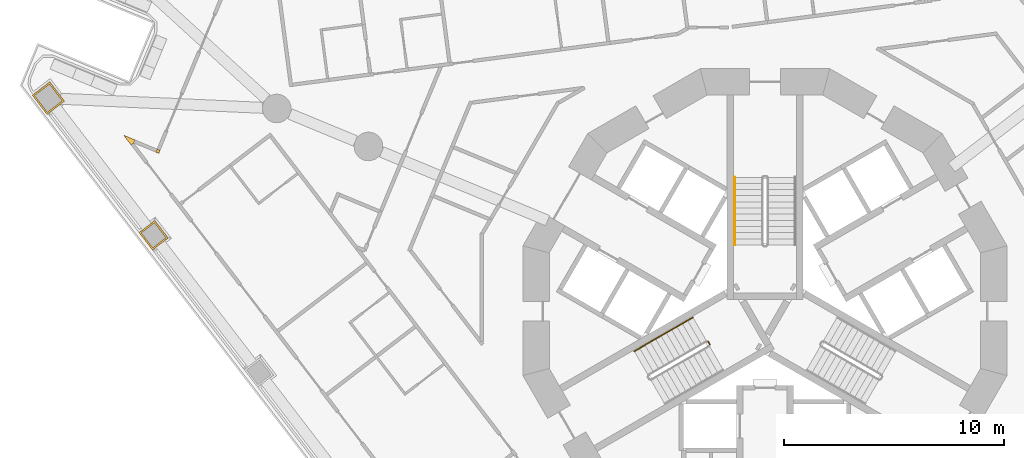
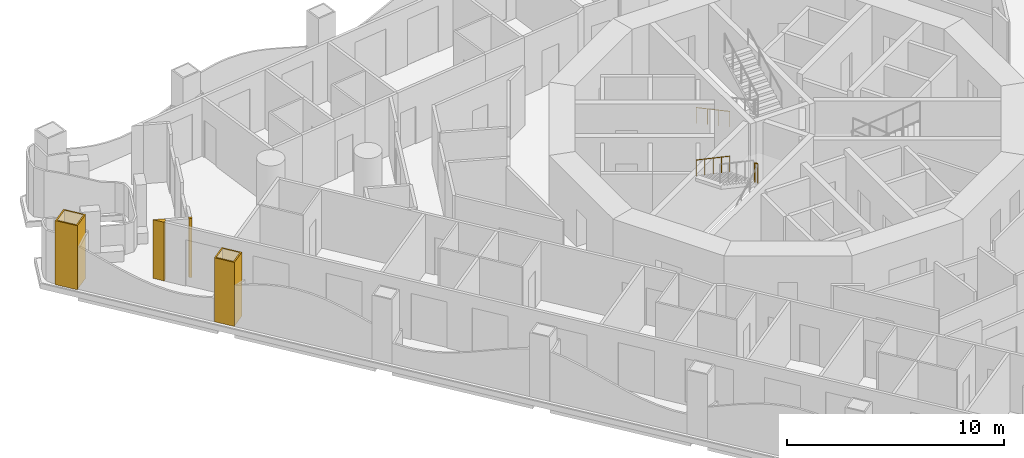
# One storey, part 15 of 19: 4 coverings, 4 railings.
"""IFC4 building model written with IfcOpenShell, lengths in metres."""

from ifc_helpers import new_model, si_unit, direction, frame, origin, origin_2d, place, context, subcontext, project, spatial, polyline, circle, outline, extrude, material, layer, layer_set, type_object, element, save


model = new_model("IFC4")

# Units and contexts
model_context = context("Model", 3, precision=1e-05, world=origin(), true_north=direction((0.0, 1.0)))
body_context = subcontext(model_context, "Body", "Model", "MODEL_VIEW")
ifc_project = project(units=[si_unit("LENGTHUNIT", "METRE"), si_unit("AREAUNIT", "SQUARE_METRE"), si_unit("VOLUMEUNIT", "CUBIC_METRE"), si_unit("PLANEANGLEUNIT", "RADIAN"), si_unit("MASSUNIT", "GRAM", prefix="KILO")], contexts=[model_context])

# Site, building, storey
site_placement = place(None, origin())
site = spatial("IfcSite", under=ifc_project, at=site_placement, CompositionType="ELEMENT")
building_placement = place(site_placement, origin())
building = spatial("IfcBuilding", under=site, at=building_placement, Name="Trine Commons Tower", CompositionType="ELEMENT")
storey_placement = place(building_placement, frame((0.0, 0.0, 72.0)))
storey = spatial("IfcBuildingStorey", under=building, at=storey_placement, Name="L17", CompositionType="ELEMENT", Elevation=72.0)

# Coverings
ifc_material_1 = material(Name="Aluminium-framed insulated wall panel", Category="aluminium")
ifc_layer_1 = layer(ifc_material_1, 0.14990234375)
ifc_layer_set_1 = layer_set([ifc_layer_1], Name="Aluminium-framed insulated wall panel")
covering_type_1 = type_object("IfcCoveringType", Name="Glazing corner post, aluminium", PredefinedType="CLADDING", material=ifc_layer_set_1)
covering_1_placement = place(storey_placement, origin())
element("IfcCovering", 1, at=covering_1_placement, inside=storey, type_object=covering_type_1, Name="Glazing corner post 2-01", PredefinedType="CLADDING", context=body_context, shape_type="SweptSolid", body=[
    extrude(outline(polyline([(51.165771484375, 70.038330078125), (51.28466796875, 70.129638671875), (51.342041015625, 70.268310546875), (50.824951171875, 70.482421875), (51.165771484375, 70.038330078125)])), origin(), (0.0, 0.0, 1.0), 3.300048828125),
])
covering_2_placement = place(storey_placement, origin())
element("IfcCovering", 2, at=covering_2_placement, inside=storey, type_object=covering_type_1, Name="Glazing corner post 2-02", PredefinedType="CLADDING", context=body_context, shape_type="SweptSolid", body=[
    extrude(outline(polyline([(52.28759765625, 69.714111328125), (52.42626953125, 69.65673828125), (52.483642578125, 69.79541015625), (52.34521484375, 69.852783203125), (52.28759765625, 69.714111328125)])), origin(), (0.0, 0.0, 1.0), 3.300048828125),
])
ifc_material_2 = material(Name="Limestone, honed", Category="masonry")
ifc_layer_2 = layer(ifc_material_2, 0.074951171875)
ifc_layer_set_2 = layer_set([ifc_layer_2], Name="Limestone, honed")
covering_type_2 = type_object("IfcCoveringType", Name="Limestone column cladding 75", PredefinedType="CLADDING", material=ifc_layer_set_2)
covering_3_placement = place(storey_placement, origin())
element("IfcCovering", 3, at=covering_3_placement, inside=storey, type_object=covering_type_2, Name="Limestone pier cladding 2-07", PredefinedType="CLADDING", context=body_context, shape_type="SweptSolid", body=[
    extrude(outline(polyline([(52.240966796875, 66.599853515625), (51.527099609375, 66.052001953125), (52.1357421875, 65.2587890625), (52.849853515625, 65.806640625), (52.240966796875, 66.599853515625)]), holes=[polyline([(52.227294921875, 66.494873046875), (51.632080078125, 66.0380859375), (52.149658203125, 65.36376953125), (52.74462890625, 65.8203125), (52.227294921875, 66.494873046875)])]), origin(), (0.0, 0.0, 1.0), 3.60009765625),
])
covering_4_placement = place(storey_placement, origin())
element("IfcCovering", 4, at=covering_4_placement, inside=storey, type_object=covering_type_2, Name="Limestone pier cladding 2-08", PredefinedType="CLADDING", context=body_context, shape_type="SweptSolid", body=[
    extrude(outline(polyline([(47.465087890625, 72.90625), (46.671630859375, 72.297607421875), (47.34130859375, 71.4248046875), (48.134765625, 72.033447265625), (47.465087890625, 72.90625)]), holes=[polyline([(47.451171875, 72.801025390625), (46.77685546875, 72.28369140625), (47.355224609375, 71.52978515625), (48.029541015625, 72.04736328125), (47.451171875, 72.801025390625)])]), origin(), (0.0, 0.0, 1.0), 3.60009765625),
])

# Railings
ifc_material_3 = material(Name="Stainless steel balustrade", Category="steel")
railing_type_1 = type_object("IfcRailingType", Name="Stair guard, steel balustrade 1100", PredefinedType="GUARDRAIL", material=ifc_material_3)
railing_1_placement = place(storey_placement, frame((77.490966796875, 60.96484375, 1.800048828125)))
element("IfcRailing", 5, at=railing_1_placement, inside=storey, type_object=railing_type_1, Name="L17 ST2A stair guard 2", PredefinedType="GUARDRAIL", context=body_context, shape_type="SweptSolid", body=[
    extrude(circle(Radius=0.02392578125, at=origin_2d()), frame((0.0, 0.0, 1.076171875), z_axis=(-0.501036270542, 0.865426285481, 0.0), x_axis=(-0.865426285481, -0.501036270542, 0.0)), (0.0, 0.0, 1.0), 0.150146484375),
    extrude(circle(Radius=0.02099609375, at=origin_2d()), origin(), (0.0, 0.0, 1.0), 1.052001953125),
    extrude(circle(Radius=0.02099609375, at=origin_2d()), frame((-0.0751953125, 0.1298828125, 0.0)), (0.0, 0.0, 1.0), 1.052001953125),
])
ifc_material_4 = material(Name="Stainless steel handrail", Category="steel")
railing_type_2 = type_object("IfcRailingType", Name="Stair handrail, steel 900", PredefinedType="HANDRAIL", material=ifc_material_4)
railing_2_placement = place(storey_placement, frame((78.625, 68.570556640625, 0.14990234375)))
element("IfcRailing", 6, at=railing_2_placement, inside=storey, type_object=railing_type_2, Name="L17 ST1A stair handrail 1", PredefinedType="HANDRAIL", context=body_context, shape_type="SweptSolid", body=[
    extrude(circle(Radius=0.02099609375, at=origin_2d()), frame((0.0, 0.0, 0.87890625), z_axis=(0.0, -0.881467505477, 0.472244678941), x_axis=(1.0, 0.0, 0.0)), (0.0, 0.0, 1.0), 3.494140625),
    extrude(circle(Radius=0.01513671875, at=origin_2d()), origin(), (0.0, 0.0, 1.0), 0.85791015625),
    extrude(circle(Radius=0.01513671875, at=origin_2d()), frame((0.0, -1.026611328125, 0.550048828125)), (0.0, 0.0, 1.0), 0.85791015625),
    extrude(circle(Radius=0.01513671875, at=origin_2d()), frame((0.0, -2.053466796875, 1.10009765625)), (0.0, 0.0, 1.0), 0.85791015625),
    extrude(circle(Radius=0.01513671875, at=origin_2d()), frame((0.0, -3.080078125, 1.650146484375)), (0.0, 0.0, 1.0), 0.85791015625),
])
railing_3_placement = place(storey_placement, frame((76.72265625, 62.195556640625, 1.949951171875)))
element("IfcRailing", 7, at=railing_3_placement, inside=storey, type_object=railing_type_2, Name="L17 ST2A stair handrail 3", PredefinedType="HANDRAIL", context=body_context, shape_type="SweptSolid", body=[
    extrude(circle(Radius=0.02099609375, at=origin_2d()), frame((0.0, 0.0, 0.87890625), z_axis=(-0.76340495495, -0.440743040072, 0.472184759798), x_axis=(0.499992328818, -0.866029832698, 0.0)), (0.0, 0.0, 1.0), 1.7470703125),
    extrude(circle(Radius=0.01513671875, at=origin_2d()), origin(), (0.0, 0.0, 1.0), 0.85791015625),
    extrude(circle(Radius=0.01513671875, at=origin_2d()), frame((-0.6669921875, -0.385009765625, 0.41259765625)), (0.0, 0.0, 1.0), 0.85791015625),
    extrude(circle(Radius=0.01513671875, at=origin_2d()), frame((-1.333740234375, -0.77001953125, 0.824951171875)), (0.0, 0.0, 1.0), 0.85791015625),
])
railing_4_placement = place(storey_placement, frame((75.388916015625, 61.425537109375, 2.77490234375)))
element("IfcRailing", 8, at=railing_4_placement, inside=storey, type_object=railing_type_2, Name="L17 ST2A stair handrail 4", PredefinedType="HANDRAIL", context=body_context, shape_type="SweptSolid", body=[
    extrude(circle(Radius=0.02099609375, at=origin_2d()), frame((0.0, 0.0, 0.87890625), z_axis=(-0.763354580307, -0.440713956853, 0.472293333596), x_axis=(0.499992328818, -0.866029832698, 0.0)), (0.0, 0.0, 1.0), 1.747314453125),
    extrude(circle(Radius=0.01513671875, at=origin_2d()), origin(), (0.0, 0.0, 1.0), 0.85791015625),
    extrude(circle(Radius=0.01513671875, at=origin_2d()), frame((-0.6669921875, -0.385009765625, 0.41259765625)), (0.0, 0.0, 1.0), 0.85791015625),
    extrude(circle(Radius=0.01513671875, at=origin_2d()), frame((-1.333740234375, -0.77001953125, 0.8251953125)), (0.0, 0.0, 1.0), 0.85791015625),
])

save(model, "model.ifc")
